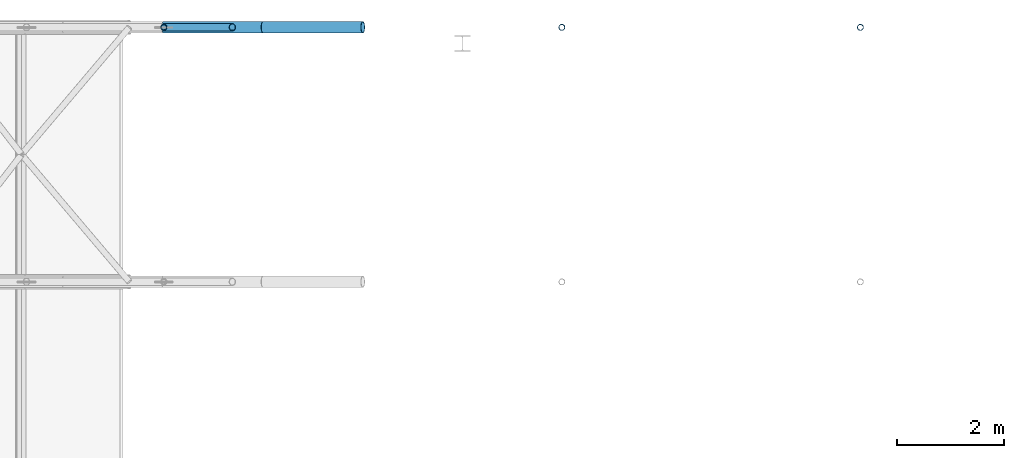
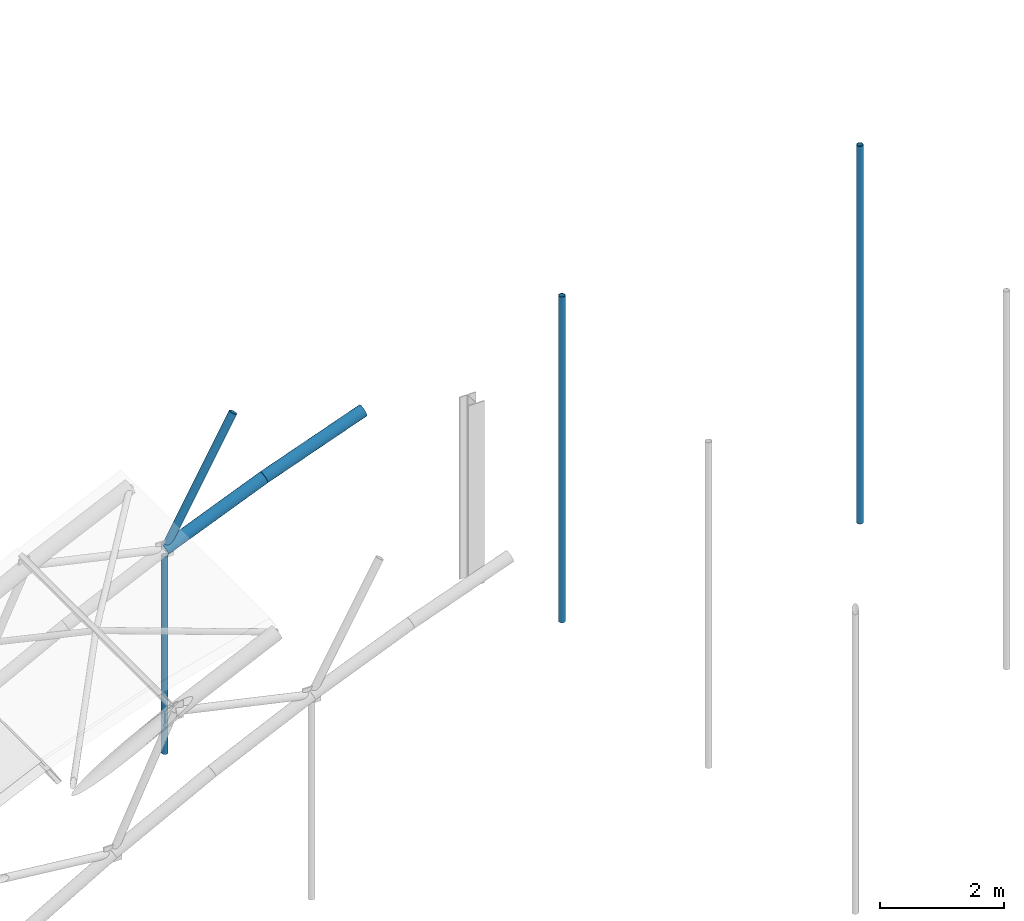
# One storey, part 23 of 50: 6 members.
"""IFC4 building model written with IfcOpenShell, lengths in metres."""

from ifc_helpers import new_model, si_unit, direction, frame, origin, origin_2d, place, context, subcontext, project, spatial, hollow_circle, extrude, material, material_profile, profile_set, type_object, element, save


model = new_model("IFC4")

# Units and contexts
model_context = context("Model", 3, precision=1e-05, world=origin(), true_north=direction((0.0, 1.0)))
body_context = subcontext(model_context, "Body", "Model", "MODEL_VIEW")
ifc_project = project(units=[si_unit("LENGTHUNIT", "METRE"), si_unit("AREAUNIT", "SQUARE_METRE"), si_unit("VOLUMEUNIT", "CUBIC_METRE"), si_unit("PLANEANGLEUNIT", "RADIAN"), si_unit("MASSUNIT", "GRAM", prefix="KILO")], contexts=[model_context])

# Site, building, storey
site_placement = place(None, origin())
site = spatial("IfcSite", under=ifc_project, at=site_placement, CompositionType="ELEMENT")
building_placement = place(site_placement, origin())
building = spatial("IfcBuilding", under=site, at=building_placement, Name="Elbe Cascade School", CompositionType="ELEMENT")
storey_placement = place(building_placement, frame((0.0, 0.0, 15.300048828125)))
storey = spatial("IfcBuildingStorey", under=building, at=storey_placement, Name="L04", CompositionType="ELEMENT", Elevation=15.300048828125)

# Members
ifc_material_1 = material(Name="Steel S355J2H", Category="steel")
ifc_material_profile_1 = material_profile(ifc_material_1, hollow_circle(Radius=0.109619140625, WallThickness=0.012451171875, at=origin_2d()), Name="CHS 219.1x12.5")
ifc_profile_set_1 = profile_set([ifc_material_profile_1], Name="Steel S355J2H")
member_type_1 = type_object("IfcMemberType", Name="Hall rib bottom chord CHS 219.1x12.5", PredefinedType="CHORD", material=ifc_profile_set_1)
member_1_placement = place(storey_placement, frame((15.428466796875, 69.5, 2.399658203125), z_axis=(0.924348085413, 0.0, 0.381550281083), x_axis=(0.0, 1.0, 0.0)))
element("IfcMember", 1, at=member_1_placement, inside=storey, type_object=member_type_1, Name="Hall rib bottom chord CHS 219.1x12.5 M3", PredefinedType="CHORD", context=body_context, shape_type="SweptSolid", body=[
    extrude(hollow_circle(Radius=0.109619140625, WallThickness=0.012451171875, at=origin_2d()), origin(), (0.0, 0.0, 1.0), 2.00927734375),
])
member_2_placement = place(storey_placement, frame((17.28564453125, 69.5, 3.166259765625), z_axis=(0.939919624861, 0.0, 0.341395809582), x_axis=(0.0, 1.0, 0.0)))
element("IfcMember", 2, at=member_2_placement, inside=storey, type_object=member_type_1, Name="Hall rib bottom chord CHS 219.1x12.5 M3", PredefinedType="CHORD", context=body_context, shape_type="SweptSolid", body=[
    extrude(hollow_circle(Radius=0.109619140625, WallThickness=0.012451171875, at=origin_2d()), origin(), (0.0, 0.0, 1.0), 1.975830078125),
])
ifc_material_2 = material(Name="Steel S355J2H", Category="steel")
ifc_material_profile_2 = material_profile(ifc_material_2, hollow_circle(Radius=0.06982421875, WallThickness=0.008056640625, at=origin_2d()), Name="CHS 139.7x8")
ifc_profile_set_2 = profile_set([ifc_material_profile_2], Name="Steel S355J2H")
member_type_2 = type_object("IfcMemberType", Name="Hall rib web CHS 139.7x8", PredefinedType="BRACE", material=ifc_profile_set_2)
member_3_placement = place(storey_placement, frame((15.428466796875, 69.5, 2.399658203125), z_axis=(0.492822683539, 0.0, 0.870129761926), x_axis=(0.0, 1.0, 0.0)))
element("IfcMember", 3, at=member_3_placement, inside=storey, type_object=member_type_2, Name="Hall rib web CHS 139.7x8 M4", PredefinedType="BRACE", context=body_context, shape_type="SweptSolid", body=[
    extrude(hollow_circle(Radius=0.06982421875, WallThickness=0.008056640625, at=origin_2d()), origin(), (0.0, 0.0, 1.0), 2.595458984375),
])
ifc_material_3 = material(Name="Steel S355J2H", Category="steel")
ifc_material_profile_3 = material_profile(ifc_material_3, hollow_circle(Radius=0.05712890625, WallThickness=0.00634765625, at=origin_2d()), Name="CHS 114.3x6.3")
ifc_profile_set_3 = profile_set([ifc_material_profile_3], Name="Steel S355J2H")
member_type_3 = type_object("IfcMemberType", Name="Hall tie hanger CHS 114.3x6.3", PredefinedType="POST", material=ifc_profile_set_3)
member_4_placement = place(storey_placement, frame((15.428466796875, 69.5, -1.623779296875), z_axis=(0.0, 0.0, 1.0), x_axis=(1.0, 0.0, 0.0)))
element("IfcMember", 4, at=member_4_placement, inside=storey, type_object=member_type_3, Name="Hall tie hanger CHS 114.3x6.3 M7", PredefinedType="POST", context=body_context, shape_type="SweptSolid", body=[
    extrude(hollow_circle(Radius=0.05712890625, WallThickness=0.00634765625, at=origin_2d()), origin(), (0.0, 0.0, 1.0), 3.90380859375),
])
member_5_placement = place(storey_placement, frame((22.857177734375, 69.5, -1.623779296875), z_axis=(0.0, 0.0, 1.0), x_axis=(1.0, 0.0, 0.0)))
element("IfcMember", 5, at=member_5_placement, inside=storey, type_object=member_type_3, Name="Hall tie hanger CHS 114.3x6.3 M7", PredefinedType="POST", context=body_context, shape_type="SweptSolid", body=[
    extrude(hollow_circle(Radius=0.05712890625, WallThickness=0.00634765625, at=origin_2d()), origin(), (0.0, 0.0, 1.0), 6.4404296875),
])
member_6_placement = place(storey_placement, frame((28.428466796875, 69.5, -1.623779296875), z_axis=(0.0, 0.0, 1.0), x_axis=(1.0, 0.0, 0.0)))
element("IfcMember", 6, at=member_6_placement, inside=storey, type_object=member_type_3, Name="Hall tie hanger CHS 114.3x6.3 M7", PredefinedType="POST", context=body_context, shape_type="SweptSolid", body=[
    extrude(hollow_circle(Radius=0.05712890625, WallThickness=0.00634765625, at=origin_2d()), origin(), (0.0, 0.0, 1.0), 7.468505859375),
])

save(model, "model.ifc")
